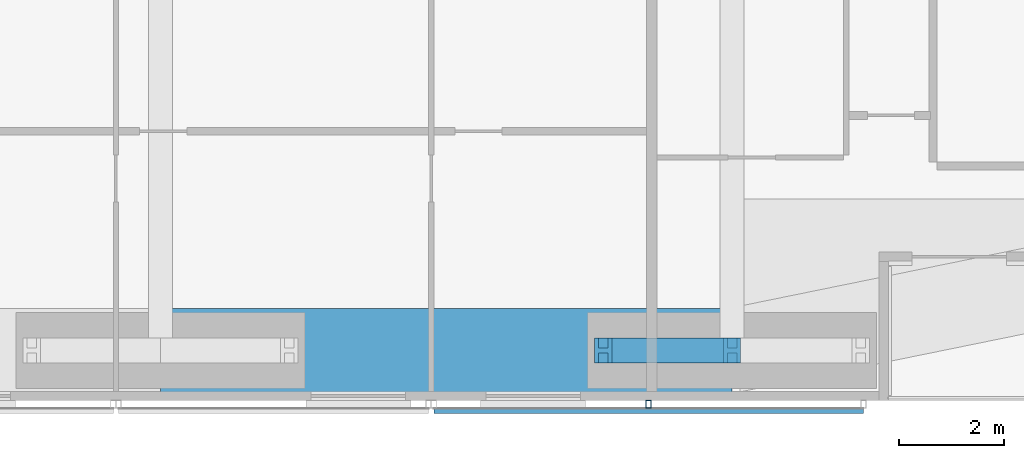
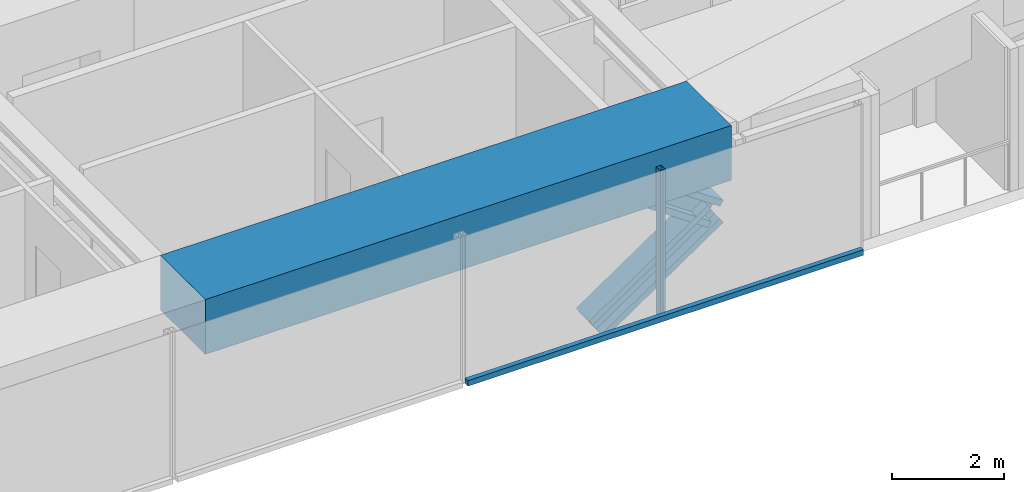
# One storey, part 5 of 23: 4 members, 1 beam, 1 element without a shape of its own.
"""IFC4 building model written with IfcOpenShell, lengths in metres."""

from ifc_helpers import new_model, si_unit, direction, frame, origin, origin_2d, place, context, subcontext, project, spatial, rectangle, hollow_rectangle, i_section, extrude, material, material_profile, profile_set, type_object, element, aggregate, save


model = new_model("IFC4")

# Units and contexts
model_context = context("Model", 3, precision=1e-05, world=origin(), true_north=direction((0.0, 1.0)))
body_context = subcontext(model_context, "Body", "Model", "MODEL_VIEW")
ifc_project = project(units=[si_unit("LENGTHUNIT", "METRE"), si_unit("AREAUNIT", "SQUARE_METRE"), si_unit("VOLUMEUNIT", "CUBIC_METRE"), si_unit("PLANEANGLEUNIT", "RADIAN"), si_unit("MASSUNIT", "GRAM", prefix="KILO")], contexts=[model_context])

# Site, building, storey
site_placement = place(None, origin())
site = spatial("IfcSite", under=ifc_project, at=site_placement, CompositionType="ELEMENT")
building_placement = place(site_placement, origin())
building = spatial("IfcBuilding", under=site, at=building_placement, Name="Jalousie Tower", CompositionType="ELEMENT")
storey_placement = place(building_placement, frame((0.0, 0.0, 121.60009765625)))
storey = spatial("IfcBuildingStorey", under=building, at=storey_placement, Name="L33", CompositionType="ELEMENT", Elevation=121.60009765625)

# Members
ifc_material_1 = material(Name="Steel ASTM A992 Grade 50", Category="steel")
ifc_material_profile_1 = material_profile(ifc_material_1, i_section(OverallWidth=0.472412109375, OverallDepth=0.5791015625, WebThickness=0.094970703125, FlangeThickness=0.1298828125, at=origin_2d()), Name="W14X808")
ifc_profile_set_1 = profile_set([ifc_material_profile_1], Name="Steel ASTM A992 Grade 50")
member_type_1 = type_object("IfcMemberType", Name="PERIMETER BRACE W14X808", PredefinedType="BRACE", material=ifc_profile_set_1)
for number, where, z_axis, x_axis, name in (
    (1, (36.175048828125, 0.949951171875, -0.60009765625), (0.825500916831, 0.0, 0.564400776321), (0.0, 1.0, 0.0), "Perimeter brace 04 L33 part 1"),
    (2, (38.625, 0.949951171875, 1.074951171875), (-0.825500916831, 0.0, 0.564400776321), (0.0, -1.0, 0.0), "Perimeter brace 04 L33 part 4"),
):
    element("IfcMember", number, at=place(storey_placement, frame(where, z_axis=z_axis, x_axis=x_axis)), inside=storey, type_object=member_type_1, Name=name, PredefinedType="BRACE", context=body_context, shape_type="SweptSolid", body=[
        extrude(i_section(OverallWidth=0.472412109375, OverallDepth=0.5791015625, WebThickness=0.094970703125, FlangeThickness=0.1298828125, at=origin_2d()), origin(), (0.0, 0.0, 1.0), 2.9677734375),
    ])

# Beam
ifc_material_2 = material(Name="Concrete f'c 40 MPa", Category="concrete")
ifc_material_profile_2 = material_profile(ifc_material_2, rectangle(XDim=1.60009765625, YDim=1.199951171875, at=origin_2d()), Name="RC 1600x1200")
ifc_profile_set_2 = profile_set([ifc_material_profile_2], Name="Concrete f'c 40 MPa")
beam_type = type_object("IfcBeamType", Name="RC BEAM 1600x1200", PredefinedType="BEAM", material=ifc_profile_set_2)
beam_placement = place(storey_placement, frame((27.75, 0.949951171875, 2.75), z_axis=(1.0, 0.0, 0.0), x_axis=(0.0, 1.0, 0.0)))
element("IfcBeam", 3, at=beam_placement, inside=storey, type_object=beam_type, Name="Edge band beam 03-04 under L34", PredefinedType="BEAM", context=body_context, shape_type="SweptSolid", body=[
    extrude(rectangle(XDim=1.60009765625, YDim=1.199951171875, at=origin_2d()), origin(), (0.0, 0.0, 1.0), 10.875),
])

# Curtain wall, members
ifc_material_3 = material(Name="Perforated aluminium sheet", Category="aluminium")
curtain_wall_type = type_object("IfcCurtainWallType", Name="SOLAR SCREEN SS-1", PredefinedType="USERDEFINED", material=ifc_material_3)
curtain_wall_placement = place(storey_placement, origin())
curtain_wall = element("IfcCurtainWall", 4, at=curtain_wall_placement, inside=storey, type_object=curtain_wall_type, Name="Solar screen L33", ObjectType="SOLAR SCREEN SS-1", PredefinedType="USERDEFINED")
ifc_material_4 = material(Name="Steel ASTM A500 Grade C", Category="steel")
ifc_material_profile_3 = material_profile(ifc_material_4, hollow_rectangle(XDim=0.1015625, YDim=0.15234375, WallThickness=0.00634765625, at=origin_2d()), Name="HSS6X4X1/4")
ifc_profile_set_3 = profile_set([ifc_material_profile_3], Name="Steel ASTM A500 Grade C")
member_type_2 = type_object("IfcMemberType", Name="SOLAR SCREEN SS-1 MULLION", PredefinedType="MULLION", material=ifc_profile_set_3)
member_1_placement = place(storey_placement, frame((37.03759765625, -0.0712890625, -0.1201171875), z_axis=(0.0, 0.0, 1.0), x_axis=(1.0, 0.0, 0.0)))
member_1 = element("IfcMember", 5, at=member_1_placement, type_object=member_type_2, Name="SS1 post 2", PredefinedType="MULLION", context=body_context, shape_type="SweptSolid", body=[
    extrude(hollow_rectangle(XDim=0.1015625, YDim=0.15234375, WallThickness=0.00634765625, at=origin_2d()), origin(), (0.0, 0.0, 1.0), 3.22998046875),
])
ifc_material_5 = material(Name="Extruded aluminium screen rail", Category="aluminium")
ifc_material_profile_4 = material_profile(ifc_material_5, rectangle(XDim=0.1015625, YDim=0.1201171875, at=origin_2d()), Name="RAIL 102x120")
ifc_profile_set_4 = profile_set([ifc_material_profile_4], Name="Extruded aluminium screen rail")
member_type_3 = type_object("IfcMemberType", Name="SOLAR SCREEN SS-1 TRANSOM", PredefinedType="USERDEFINED", material=ifc_profile_set_4)
member_2_placement = place(storey_placement, frame((32.949951171875, -0.1982421875, -0.06005859375), z_axis=(1.0, 0.0, 0.0), x_axis=(0.0, 1.0, 0.0)))
member_2 = element("IfcMember", 6, at=member_2_placement, type_object=member_type_3, Name="SS1 rail", ObjectType="TRANSOM", PredefinedType="USERDEFINED", context=body_context, shape_type="SweptSolid", body=[
    extrude(rectangle(XDim=0.1015625, YDim=0.1201171875, at=origin_2d()), origin(), (0.0, 0.0, 1.0), 8.175048828125),
])
aggregate(curtain_wall, [member_1, member_2])

save(model, "model.ifc")
